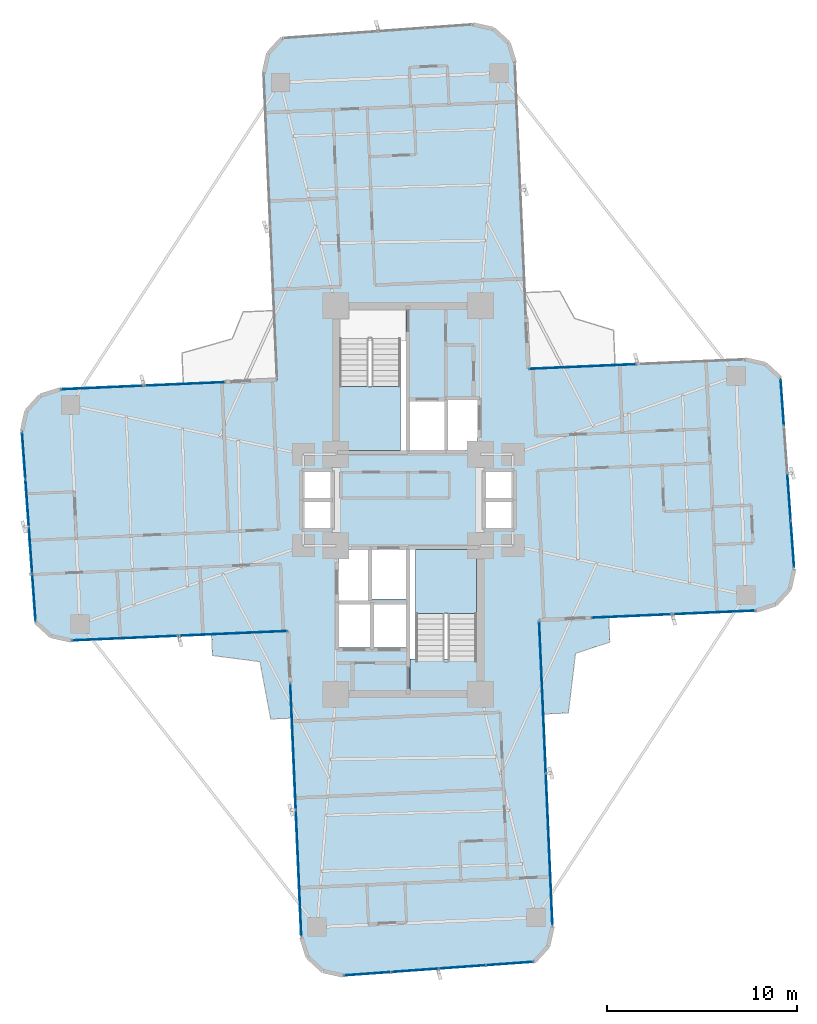
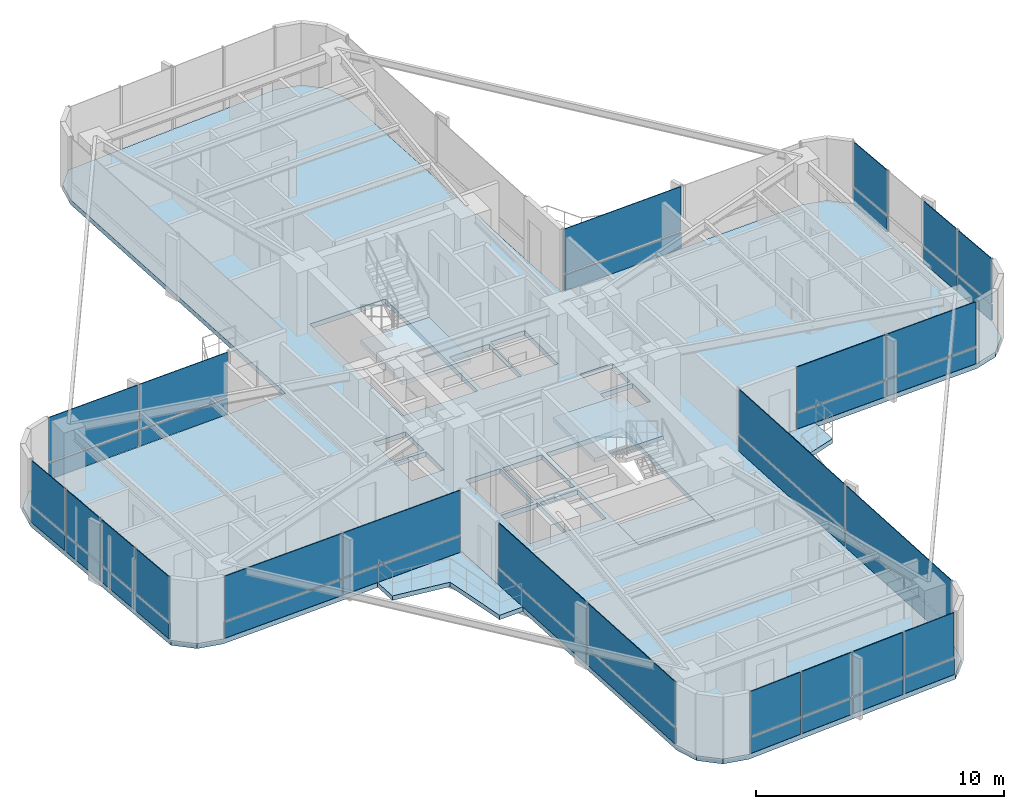
# One storey, part 21 of 26: 44 plates, 6 slabs, 11 elements without a shape of their own.
"""IFC4 building model written with IfcOpenShell, lengths in metres."""

from ifc_helpers import new_model, si_unit, direction, frame, origin, origin_2d, place, context, subcontext, project, spatial, polyline, rectangle, outline, extrude, source, transform, mapped, material, layer, layer_set, type_object, element, aggregate, save


model = new_model("IFC4")

# Units and contexts
model_context = context("Model", 3, precision=1e-05, world=origin(), true_north=direction((0.0, 1.0)))
body_context = subcontext(model_context, "Body", "Model", "MODEL_VIEW")
ifc_project = project(units=[si_unit("LENGTHUNIT", "METRE"), si_unit("AREAUNIT", "SQUARE_METRE"), si_unit("VOLUMEUNIT", "CUBIC_METRE"), si_unit("PLANEANGLEUNIT", "RADIAN"), si_unit("MASSUNIT", "GRAM", prefix="KILO")], contexts=[model_context])

# Site, building, storey
site_placement = place(None, origin())
site = spatial("IfcSite", under=ifc_project, at=site_placement, CompositionType="ELEMENT")
building_placement = place(site_placement, origin())
building = spatial("IfcBuilding", under=site, at=building_placement, Name="Sahyath Konkavel Grand Hotel", CompositionType="ELEMENT")
storey_placement = place(building_placement, frame((0.0, 0.0, 114.800048828125)))
storey = spatial("IfcBuildingStorey", under=building, at=storey_placement, Name="L31", CompositionType="ELEMENT", Elevation=114.800048828125)

# Slabs
ifc_material_1 = material(Name="Concrete C40/50", Category="concrete")
ifc_layer_1 = layer(ifc_material_1, 0.239990234375)
ifc_layer_set_1 = layer_set([ifc_layer_1], Name="Concrete C40/50")
slab_type_1 = type_object("IfcSlabType", Name="SLB-240", PredefinedType="FLOOR", material=ifc_layer_set_1)
slab_1_placement = place(storey_placement, frame((0.0, 0.0, -0.239990234375)))
element("IfcSlab", 1, at=slab_1_placement, inside=storey, type_object=slab_type_1, Name="L31 Structural Floor Slab", PredefinedType="FLOOR", context=body_context, shape_type="SweptSolid", body=[
    extrude(outline(polyline([(6.881591796875, -6.305908203125), (18.270751953125, -5.80859375), (19.3076171875, -5.481689453125), (20.0419921875, -4.68017578125), (20.277099609375, -3.618896484375), (19.5576171875, 6.4091796875), (18.75634765625, 7.1435546875), (17.695068359375, 7.37890625), (6.305908203125, 6.881591796875), (5.603515625, 22.96630859375), (5.276611328125, 24.0029296875), (4.47509765625, 24.7373046875), (3.4140625, 24.97265625), (-6.6142578125, 24.253173828125), (-7.3486328125, 23.451904296875), (-7.583984375, 22.390380859375), (-6.881591796875, 6.305908203125), (-18.270751953125, 5.80859375), (-19.3076171875, 5.481689453125), (-20.0419921875, 4.68017578125), (-20.277099609375, 3.618896484375), (-19.5576171875, -6.4091796875), (-18.75634765625, -7.1435546875), (-17.695068359375, -7.37890625), (-6.305908203125, -6.881591796875), (-5.603515625, -22.96630859375), (-5.276611328125, -24.0029296875), (-4.47509765625, -24.7373046875), (-3.4140625, -24.97265625), (6.6142578125, -24.253173828125), (7.3486328125, -23.451904296875), (7.583984375, -22.390380859375), (6.881591796875, -6.305908203125)]), holes=[polyline([(-3.6201171875, 2.580078125), (-0.10009765625, 2.580078125), (-0.10009765625, 10.02001953125), (-3.6201171875, 10.02001953125), (-3.6201171875, 2.580078125)]), polyline([(0.10009765625, -10.02001953125), (3.6201171875, -10.02001953125), (3.6201171875, -2.580078125), (0.10009765625, -2.580078125), (0.10009765625, -10.02001953125)]), polyline([(0.10009765625, 2.60009765625), (1.949951171875, 2.60009765625), (1.949951171875, 5.199951171875), (0.10009765625, 5.199951171875), (0.10009765625, 2.60009765625)]), polyline([(-1.949951171875, -5.199951171875), (-0.10009765625, -5.199951171875), (-0.10009765625, -2.60009765625), (-1.949951171875, -2.60009765625), (-1.949951171875, -5.199951171875)]), polyline([(2.050048828125, 2.60009765625), (3.64990234375, 2.60009765625), (3.64990234375, 5.300048828125), (2.050048828125, 5.300048828125), (2.050048828125, 2.60009765625)]), polyline([(-3.64990234375, -5.300048828125), (-2.050048828125, -5.300048828125), (-2.050048828125, -2.60009765625), (-3.64990234375, -2.60009765625), (-3.64990234375, -5.300048828125)]), polyline([(-3.64990234375, -7.75), (-1.949951171875, -7.75), (-1.949951171875, -5.449951171875), (-3.64990234375, -5.449951171875), (-3.64990234375, -7.75)]), polyline([(-1.85009765625, -7.75), (-0.10009765625, -7.75), (-0.10009765625, -5.449951171875), (-1.85009765625, -5.449951171875), (-1.85009765625, -7.75)]), polyline([(4.050048828125, 0.080078125), (5.550048828125, 0.080078125), (5.550048828125, 1.5400390625), (4.050048828125, 1.5400390625), (4.050048828125, 0.080078125)]), polyline([(4.050048828125, -1.5400390625), (5.550048828125, -1.5400390625), (5.550048828125, -0.080078125), (4.050048828125, -0.080078125), (4.050048828125, -1.5400390625)]), polyline([(-5.550048828125, 0.080078125), (-4.050048828125, 0.080078125), (-4.050048828125, 1.5400390625), (-5.550048828125, 1.5400390625), (-5.550048828125, 0.080078125)]), polyline([(-5.550048828125, -1.5400390625), (-4.050048828125, -1.5400390625), (-4.050048828125, -0.080078125), (-5.550048828125, -0.080078125), (-5.550048828125, -1.5400390625)])]), origin(), (0.0, 0.0, 1.0), 0.239990234375),
])
ifc_layer_2 = layer(ifc_material_1, 0.219970703125)
ifc_layer_set_2 = layer_set([ifc_layer_2], Name="Concrete C40/50")
slab_type_2 = type_object("IfcSlabType", Name="SLB-BALCONY-220", PredefinedType="FLOOR", material=ifc_layer_set_2)
slab_2_placement = place(storey_placement, frame((0.0, 0.0, -0.219970703125)))
element("IfcSlab", 2, at=slab_2_placement, inside=storey, type_object=slab_type_2, Name="L31 Winter-Garden Balcony SW", PredefinedType="FLOOR", context=body_context, shape_type="SweptSolid", body=[
    extrude(outline(polyline([(-6.305908203125, -6.881591796875), (-10.323974609375, -7.056884765625), (-10.275390625, -8.16845703125), (-7.781982421875, -8.492431640625), (-7.217529296875, -11.50390625), (-6.106201171875, -11.455078125), (-6.305908203125, -6.881591796875)])), origin(), (0.0, 0.0, 1.0), 0.219970703125),
])
slab_3_placement = place(storey_placement, frame((0.0, 0.0, -0.219970703125)))
element("IfcSlab", 3, at=slab_3_placement, inside=storey, type_object=slab_type_2, Name="L31 Winter-Garden Balcony SE", PredefinedType="FLOOR", context=body_context, shape_type="SweptSolid", body=[
    extrude(outline(polyline([(6.881591796875, -6.305908203125), (7.09716796875, -11.2431640625), (8.4150390625, -11.185546875), (8.791748046875, -8.05615234375), (10.59375, -7.464111328125), (10.5361328125, -6.146240234375), (6.881591796875, -6.305908203125)])), origin(), (0.0, 0.0, 1.0), 0.219970703125),
])

# Stair, slab
stair_type = type_object("IfcStairType", Name="STR-ST16-335", PredefinedType="HALF_TURN_STAIR", material=ifc_material_1)
stair_1_placement = place(storey_placement, origin())
stair_1 = element("IfcStair", 4, at=stair_1_placement, inside=storey, type_object=stair_type, Name="L31 North Core Smokeproof Exit Stair ST-1", PredefinedType="HALF_TURN_STAIR")
ifc_layer_3 = layer(ifc_material_1, 0.199951171875)
ifc_layer_set_3 = layer_set([ifc_layer_3], Name="Concrete C40/50")
slab_type_3 = type_object("IfcSlabType", Name="SLB-STAIR-LND", PredefinedType="LANDING", material=ifc_layer_set_3)
slab_4_placement = place(storey_placement, frame((0.0, 0.0, 1.474853515625)))
slab_4 = element("IfcSlab", 5, at=slab_4_placement, type_object=slab_type_3, Name="ST-1 landing 1", PredefinedType="LANDING", context=body_context, shape_type="SweptSolid", body=[
    extrude(outline(polyline([(-3.60009765625, 5.9599609375), (-3.60009765625, 2.60009765625), (-0.39990234375, 2.60009765625), (-0.39990234375, 5.9599609375), (-3.60009765625, 5.9599609375)])), origin(), (0.0, 0.0, 1.0), 0.2001953125),
])
aggregate(stair_1, [slab_4])

stair_2_placement = place(storey_placement, origin())
stair_2 = element("IfcStair", 6, at=stair_2_placement, inside=storey, type_object=stair_type, Name="L31 South Core Smokeproof Exit Stair ST-2", PredefinedType="HALF_TURN_STAIR")
slab_5_placement = place(storey_placement, frame((0.0, 0.0, 1.474853515625)))
slab_5 = element("IfcSlab", 7, at=slab_5_placement, type_object=slab_type_3, Name="ST-2 landing 1", PredefinedType="LANDING", context=body_context, shape_type="SweptSolid", body=[
    extrude(outline(polyline([(3.60009765625, -5.9599609375), (3.60009765625, -2.60009765625), (0.39990234375, -2.60009765625), (0.39990234375, -5.9599609375), (3.60009765625, -5.9599609375)])), origin(), (0.0, 0.0, 1.0), 0.2001953125),
])
aggregate(stair_2, [slab_5])

# Slab
slab_6_placement = place(storey_placement, frame((0.0, 0.0, -0.199951171875)))
element("IfcSlab", 8, at=slab_6_placement, inside=storey, type_object=slab_type_3, Name="L31 Stair ST-2 Floor Landing Slab", PredefinedType="LANDING", context=body_context, shape_type="SweptSolid", body=[
    extrude(outline(polyline([(0.10009765625, -10.02001953125), (3.6201171875, -10.02001953125), (3.6201171875, -8.35009765625), (0.10009765625, -8.35009765625), (0.10009765625, -10.02001953125)])), origin(), (0.0, 0.0, 1.0), 0.199951171875),
])

# Curtain wall, plates
ifc_material_2 = material(Name="Anodised Bronze Aluminium & Low-E Glazing", Category="aluminium")
curtain_wall_type = type_object("IfcCurtainWallType", Name="CW-ZONE2", PredefinedType="NOTDEFINED", material=ifc_material_2)
curtain_wall_1_placement = place(storey_placement, origin())
curtain_wall_1 = element("IfcCurtainWall", 9, at=curtain_wall_1_placement, inside=storey, type_object=curtain_wall_type, Name="L31 Unitised Curtain Wall F0", PredefinedType="NOTDEFINED")
ifc_material_3 = material(Name="Warm Buff Sandstone Cladding", Category="masonry")
ifc_layer_4 = layer(ifc_material_3, 0.074951171875)
ifc_layer_set_4 = layer_set([ifc_layer_4], Name="Warm Buff Sandstone Cladding")
plate_type_1 = type_object("IfcPlateType", Name="PNL-SPANDREL-STONE", PredefinedType="SHEET", material=ifc_layer_set_4)
shared_shape_1 = source(origin(), body_context, "Body", "SweptSolid", [
    extrude(rectangle(XDim=4.22998046875, YDim=0.074951171875, at=origin_2d()), origin(), (0.0, 0.0, 1.0), 0.77001953125),
])
plate_1_placement = place(storey_placement, frame((11.77197265625, -6.09228515625, 0.0400390625), z_axis=(0.0, 0.0, 1.0), x_axis=(0.999048982732, 0.043601950678, 0.0)))
plate_1 = element("IfcPlate", 10, at=plate_1_placement, type_object=plate_type_1, Name="L31 Sandstone Relief Spandrel Panel F0-0", PredefinedType="SHEET", context=body_context, shape_type="MappedRepresentation", body=[
    mapped(shared_shape_1, transform((0.0, 0.0, 0.0), scale=1.0)),
])
plate_2_placement = place(storey_placement, frame((16.077880859375, -5.904296875, 0.0400390625), z_axis=(0.0, 0.0, 1.0), x_axis=(0.999048982732, 0.043601950678, 0.0)))
plate_2 = element("IfcPlate", 11, at=plate_2_placement, type_object=plate_type_1, Name="L31 Sandstone Relief Spandrel Panel F0-1", PredefinedType="SHEET", context=body_context, shape_type="MappedRepresentation", body=[
    mapped(shared_shape_1, transform((0.0, 0.0, 0.0), scale=1.0)),
])

curtain_wall_2_placement = place(storey_placement, origin())
curtain_wall_2 = element("IfcCurtainWall", 12, at=curtain_wall_2_placement, inside=storey, type_object=curtain_wall_type, Name="L31 Unitised Curtain Wall F16", PredefinedType="NOTDEFINED")
plate_3_placement = place(storey_placement, frame((-11.77197265625, 6.09228515625, 0.0400390625), z_axis=(0.0, 0.0, 1.0), x_axis=(-0.999048982732, -0.043601950678, 0.0)))
plate_3 = element("IfcPlate", 13, at=plate_3_placement, type_object=plate_type_1, Name="L31 Sandstone Relief Spandrel Panel F16-0", PredefinedType="SHEET", context=body_context, shape_type="MappedRepresentation", body=[
    mapped(shared_shape_1, transform((0.0, 0.0, 0.0), scale=1.0)),
])
plate_4_placement = place(storey_placement, frame((-16.077880859375, 5.904296875, 0.0400390625), z_axis=(0.0, 0.0, 1.0), x_axis=(-0.999048982732, -0.043601950678, 0.0)))
plate_4 = element("IfcPlate", 14, at=plate_4_placement, type_object=plate_type_1, Name="L31 Sandstone Relief Spandrel Panel F16-1", PredefinedType="SHEET", context=body_context, shape_type="MappedRepresentation", body=[
    mapped(shared_shape_1, transform((0.0, 0.0, 0.0), scale=1.0)),
])

curtain_wall_3_placement = place(storey_placement, origin())
curtain_wall_3 = element("IfcCurtainWall", 15, at=curtain_wall_3_placement, inside=storey, type_object=curtain_wall_type, Name="L31 Unitised Curtain Wall F4", PredefinedType="NOTDEFINED")
shared_shape_2 = source(origin(), body_context, "Body", "SweptSolid", [
    extrude(rectangle(XDim=2.41357421875, YDim=0.074951171875, at=origin_2d()), origin(), (0.0, 0.0, 1.0), 0.77001953125),
])
plate_5_placement = place(storey_placement, frame((20.18505859375, -2.335693359375, 0.0400390625), z_axis=(0.0, 0.0, 1.0), x_axis=(-0.071567078661, 0.997435789037, 0.0)))
plate_5 = element("IfcPlate", 16, at=plate_5_placement, type_object=plate_type_1, Name="L31 Sandstone Relief Spandrel Panel F4-0", PredefinedType="SHEET", context=body_context, shape_type="MappedRepresentation", body=[
    mapped(shared_shape_2, transform((0.0, 0.0, 0.0), scale=1.0)),
])
plate_6_placement = place(storey_placement, frame((20.006591796875, 0.151611328125, 0.0400390625), z_axis=(0.0, 0.0, 1.0), x_axis=(-0.071567078661, 0.997435789037, 0.0)))
plate_6 = element("IfcPlate", 17, at=plate_6_placement, type_object=plate_type_1, Name="L31 Sandstone Relief Spandrel Panel F4-1", PredefinedType="SHEET", context=body_context, shape_type="MappedRepresentation", body=[
    mapped(shared_shape_2, transform((0.0, 0.0, 0.0), scale=1.0)),
])
plate_7_placement = place(storey_placement, frame((19.64990234375, 5.125732421875, 0.0400390625), z_axis=(0.0, 0.0, 1.0), x_axis=(-0.071567078661, 0.997435789037, 0.0)))
plate_7 = element("IfcPlate", 18, at=plate_7_placement, type_object=plate_type_1, Name="L31 Sandstone Relief Spandrel Panel F4-3", PredefinedType="SHEET", context=body_context, shape_type="MappedRepresentation", body=[
    mapped(shared_shape_2, transform((0.0, 0.0, 0.0), scale=1.0)),
])

curtain_wall_4_placement = place(storey_placement, origin())
curtain_wall_4 = element("IfcCurtainWall", 19, at=curtain_wall_4_placement, inside=storey, type_object=curtain_wall_type, Name="L31 Unitised Curtain Wall F20", PredefinedType="NOTDEFINED")
plate_8_placement = place(storey_placement, frame((-20.18505859375, 2.335693359375, 0.0400390625), z_axis=(0.0, 0.0, 1.0), x_axis=(0.071567078661, -0.997435789037, 0.0)))
plate_8 = element("IfcPlate", 20, at=plate_8_placement, type_object=plate_type_1, Name="L31 Sandstone Relief Spandrel Panel F20-0", PredefinedType="SHEET", context=body_context, shape_type="MappedRepresentation", body=[
    mapped(shared_shape_2, transform((0.0, 0.0, 0.0), scale=1.0)),
])
plate_9_placement = place(storey_placement, frame((-20.006591796875, -0.151611328125, 0.0400390625), z_axis=(0.0, 0.0, 1.0), x_axis=(0.071567078661, -0.997435789037, 0.0)))
plate_9 = element("IfcPlate", 21, at=plate_9_placement, type_object=plate_type_1, Name="L31 Sandstone Relief Spandrel Panel F20-1", PredefinedType="SHEET", context=body_context, shape_type="MappedRepresentation", body=[
    mapped(shared_shape_2, transform((0.0, 0.0, 0.0), scale=1.0)),
])
plate_10_placement = place(storey_placement, frame((-19.828369140625, -2.638671875, 0.0400390625), z_axis=(0.0, 0.0, 1.0), x_axis=(0.071567078661, -0.997435789037, 0.0)))
plate_10 = element("IfcPlate", 22, at=plate_10_placement, type_object=plate_type_1, Name="L31 Sandstone Relief Spandrel Panel F20-2", PredefinedType="SHEET", context=body_context, shape_type="MappedRepresentation", body=[
    mapped(shared_shape_2, transform((0.0, 0.0, 0.0), scale=1.0)),
])
plate_11_placement = place(storey_placement, frame((-19.64990234375, -5.125732421875, 0.0400390625), z_axis=(0.0, 0.0, 1.0), x_axis=(0.071567078661, -0.997435789037, 0.0)))
plate_11 = element("IfcPlate", 23, at=plate_11_placement, type_object=plate_type_1, Name="L31 Sandstone Relief Spandrel Panel F20-3", PredefinedType="SHEET", context=body_context, shape_type="MappedRepresentation", body=[
    mapped(shared_shape_2, transform((0.0, 0.0, 0.0), scale=1.0)),
])

curtain_wall_5_placement = place(storey_placement, origin())
curtain_wall_5 = element("IfcCurtainWall", 24, at=curtain_wall_5_placement, inside=storey, type_object=curtain_wall_type, Name="L31 Unitised Curtain Wall F28", PredefinedType="NOTDEFINED")
plate_12_placement = place(storey_placement, frame((-2.130615234375, -24.880615234375, 0.0400390625), z_axis=(0.0, 0.0, 1.0), x_axis=(0.997435789037, 0.071567078661, 0.0)))
plate_12 = element("IfcPlate", 25, at=plate_12_placement, type_object=plate_type_1, Name="L31 Sandstone Relief Spandrel Panel F28-0", PredefinedType="SHEET", context=body_context, shape_type="MappedRepresentation", body=[
    mapped(shared_shape_2, transform((0.0, 0.0, 0.0), scale=1.0)),
])
plate_13_placement = place(storey_placement, frame((0.356689453125, -24.7021484375, 0.0400390625), z_axis=(0.0, 0.0, 1.0), x_axis=(0.997435789037, 0.071567078661, 0.0)))
plate_13 = element("IfcPlate", 26, at=plate_13_placement, type_object=plate_type_1, Name="L31 Sandstone Relief Spandrel Panel F28-1", PredefinedType="SHEET", context=body_context, shape_type="MappedRepresentation", body=[
    mapped(shared_shape_2, transform((0.0, 0.0, 0.0), scale=1.0)),
])
plate_14_placement = place(storey_placement, frame((2.84375, -24.523681640625, 0.0400390625), z_axis=(0.0, 0.0, 1.0), x_axis=(0.997435789037, 0.071567078661, 0.0)))
plate_14 = element("IfcPlate", 27, at=plate_14_placement, type_object=plate_type_1, Name="L31 Sandstone Relief Spandrel Panel F28-2", PredefinedType="SHEET", context=body_context, shape_type="MappedRepresentation", body=[
    mapped(shared_shape_2, transform((0.0, 0.0, 0.0), scale=1.0)),
])
plate_15_placement = place(storey_placement, frame((5.330810546875, -24.34521484375, 0.0400390625), z_axis=(0.0, 0.0, 1.0), x_axis=(0.997435789037, 0.071567078661, 0.0)))
plate_15 = element("IfcPlate", 28, at=plate_15_placement, type_object=plate_type_1, Name="L31 Sandstone Relief Spandrel Panel F28-3", PredefinedType="SHEET", context=body_context, shape_type="MappedRepresentation", body=[
    mapped(shared_shape_2, transform((0.0, 0.0, 0.0), scale=1.0)),
])

# Curtain wall, plate
curtain_wall_6_placement = place(storey_placement, origin())
curtain_wall_6 = element("IfcCurtainWall", 29, at=curtain_wall_6_placement, inside=storey, type_object=curtain_wall_type, Name="L31 Unitised Curtain Wall F7", PredefinedType="NOTDEFINED")
shared_shape_3 = source(origin(), body_context, "Body", "SweptSolid", [
    extrude(rectangle(XDim=5.580078125, YDim=0.074951171875, at=origin_2d()), origin(), (0.0, 0.0, 1.0), 0.77001953125),
])
plate_16_placement = place(storey_placement, frame((9.173095703125, 7.0068359375, 0.0400390625), z_axis=(0.0, 0.0, 1.0), x_axis=(-0.999048221582, -0.043619387365, 0.0)))
plate_16 = element("IfcPlate", 30, at=plate_16_placement, type_object=plate_type_1, Name="L31 Sandstone Relief Spandrel Panel F7-1", PredefinedType="SHEET", context=body_context, shape_type="MappedRepresentation", body=[
    mapped(shared_shape_3, transform((0.0, 0.0, 0.0), scale=1.0)),
])

# Curtain wall, plates
curtain_wall_7_placement = place(storey_placement, origin())
curtain_wall_7 = element("IfcCurtainWall", 31, at=curtain_wall_7_placement, inside=storey, type_object=curtain_wall_type, Name="L31 Unitised Curtain Wall F23", PredefinedType="NOTDEFINED")
plate_17_placement = place(storey_placement, frame((-14.82763671875, -7.25390625, 0.0400390625), z_axis=(0.0, 0.0, 1.0), x_axis=(0.999048221582, 0.043619387365, 0.0)))
plate_17 = element("IfcPlate", 32, at=plate_17_placement, type_object=plate_type_1, Name="L31 Sandstone Relief Spandrel Panel F23-0", PredefinedType="SHEET", context=body_context, shape_type="MappedRepresentation", body=[
    mapped(shared_shape_3, transform((0.0, 0.0, 0.0), scale=1.0)),
])
plate_18_placement = place(storey_placement, frame((-9.173095703125, -7.0068359375, 0.0400390625), z_axis=(0.0, 0.0, 1.0), x_axis=(0.999048221582, 0.043619387365, 0.0)))
plate_18 = element("IfcPlate", 33, at=plate_18_placement, type_object=plate_type_1, Name="L31 Sandstone Relief Spandrel Panel F23-1", PredefinedType="SHEET", context=body_context, shape_type="MappedRepresentation", body=[
    mapped(shared_shape_3, transform((0.0, 0.0, 0.0), scale=1.0)),
])

curtain_wall_8_placement = place(storey_placement, origin())
curtain_wall_8 = element("IfcCurtainWall", 34, at=curtain_wall_8_placement, inside=storey, type_object=curtain_wall_type, Name="L31 Unitised Curtain Wall F24", PredefinedType="NOTDEFINED")
shared_shape_4 = source(origin(), body_context, "Body", "SweptSolid", [
    extrude(rectangle(XDim=6.580078125, YDim=0.074951171875, at=origin_2d()), origin(), (0.0, 0.0, 1.0), 0.77001953125),
])
plate_19_placement = place(storey_placement, frame((-6.041015625, -12.94580078125, 0.0400390625), z_axis=(0.0, 0.0, 1.0), x_axis=(0.043619387365, -0.999048221582, 0.0)))
plate_19 = element("IfcPlate", 35, at=plate_19_placement, type_object=plate_type_1, Name="L31 Sandstone Relief Spandrel Panel F24-0", PredefinedType="SHEET", context=body_context, shape_type="MappedRepresentation", body=[
    mapped(shared_shape_4, transform((0.0, 0.0, 0.0), scale=1.0)),
])
plate_20_placement = place(storey_placement, frame((-5.75048828125, -19.599609375, 0.0400390625), z_axis=(0.0, 0.0, 1.0), x_axis=(0.043619387365, -0.999048221582, 0.0)))
plate_20 = element("IfcPlate", 36, at=plate_20_placement, type_object=plate_type_1, Name="L31 Sandstone Relief Spandrel Panel F24-1", PredefinedType="SHEET", context=body_context, shape_type="MappedRepresentation", body=[
    mapped(shared_shape_4, transform((0.0, 0.0, 0.0), scale=1.0)),
])

curtain_wall_9_placement = place(storey_placement, origin())
curtain_wall_9 = element("IfcCurtainWall", 37, at=curtain_wall_9_placement, inside=storey, type_object=curtain_wall_type, Name="L31 Unitised Curtain Wall F31", PredefinedType="NOTDEFINED")
shared_shape_5 = source(origin(), body_context, "Body", "SweptSolid", [
    extrude(rectangle(XDim=7.929931640625, YDim=0.074951171875, at=origin_2d()), origin(), (0.0, 0.0, 1.0), 0.77001953125),
])
plate_21_placement = place(storey_placement, frame((7.407470703125, -18.349365234375, 0.0400390625), z_axis=(0.0, 0.0, 1.0), x_axis=(-0.043619387365, 0.999048221582, 0.0)))
plate_21 = element("IfcPlate", 38, at=plate_21_placement, type_object=plate_type_1, Name="L31 Sandstone Relief Spandrel Panel F31-0", PredefinedType="SHEET", context=body_context, shape_type="MappedRepresentation", body=[
    mapped(shared_shape_5, transform((0.0, 0.0, 0.0), scale=1.0)),
])
plate_22_placement = place(storey_placement, frame((7.05810546875, -10.346923828125, 0.0400390625), z_axis=(0.0, 0.0, 1.0), x_axis=(-0.043619387365, 0.999048221582, 0.0)))
plate_22 = element("IfcPlate", 39, at=plate_22_placement, type_object=plate_type_1, Name="L31 Sandstone Relief Spandrel Panel F31-1", PredefinedType="SHEET", context=body_context, shape_type="MappedRepresentation", body=[
    mapped(shared_shape_5, transform((0.0, 0.0, 0.0), scale=1.0)),
])

# Plate
ifc_material_4 = material(Name="Low-E Solar Control Double Glazing", Category="glass")
ifc_layer_5 = layer(ifc_material_4, 0.035888671875)
ifc_layer_set_5 = layer_set([ifc_layer_5], Name="Low-E Solar Control Double Glazing")
plate_type_2 = type_object("IfcPlateType", Name="PNL-VISION-LOWE", PredefinedType="CURTAIN_PANEL", material=ifc_layer_set_5)
shared_shape_6 = source(origin(), body_context, "Body", "SweptSolid", [
    extrude(rectangle(XDim=4.22998046875, YDim=0.035888671875, at=origin_2d()), origin(), (0.0, 0.0, 1.0), 2.179931640625),
])
plate_23_placement = place(storey_placement, frame((11.77197265625, -6.09228515625, 0.89013671875), z_axis=(0.0, 0.0, 1.0), x_axis=(0.999048982732, 0.043601950678, 0.0)))
plate_23 = element("IfcPlate", 40, at=plate_23_placement, type_object=plate_type_2, Name="L31 Low-E Vision Glazing Panel F0-0", PredefinedType="CURTAIN_PANEL", context=body_context, shape_type="MappedRepresentation", body=[
    mapped(shared_shape_6, transform((0.0, 0.0, 0.0), scale=1.0)),
])

plate_24_placement = place(storey_placement, frame((16.077880859375, -5.904296875, 0.89013671875), z_axis=(0.0, 0.0, 1.0), x_axis=(0.999048982732, 0.043601950678, 0.0)))
plate_24 = element("IfcPlate", 41, at=plate_24_placement, type_object=plate_type_2, Name="L31 Low-E Vision Glazing Panel F0-1", PredefinedType="CURTAIN_PANEL", context=body_context, shape_type="MappedRepresentation", body=[
    mapped(shared_shape_6, transform((0.0, 0.0, 0.0), scale=1.0)),
])

aggregate(curtain_wall_1, [plate_1, plate_23, plate_2, plate_24])

plate_25_placement = place(storey_placement, frame((-11.77197265625, 6.09228515625, 0.89013671875), z_axis=(0.0, 0.0, 1.0), x_axis=(-0.999048982732, -0.043601950678, 0.0)))
plate_25 = element("IfcPlate", 42, at=plate_25_placement, type_object=plate_type_2, Name="L31 Low-E Vision Glazing Panel F16-0", PredefinedType="CURTAIN_PANEL", context=body_context, shape_type="MappedRepresentation", body=[
    mapped(shared_shape_6, transform((0.0, 0.0, 0.0), scale=1.0)),
])

plate_26_placement = place(storey_placement, frame((-16.077880859375, 5.904296875, 0.89013671875), z_axis=(0.0, 0.0, 1.0), x_axis=(-0.999048982732, -0.043601950678, 0.0)))
plate_26 = element("IfcPlate", 43, at=plate_26_placement, type_object=plate_type_2, Name="L31 Low-E Vision Glazing Panel F16-1", PredefinedType="CURTAIN_PANEL", context=body_context, shape_type="MappedRepresentation", body=[
    mapped(shared_shape_6, transform((0.0, 0.0, 0.0), scale=1.0)),
])

aggregate(curtain_wall_2, [plate_3, plate_25, plate_4, plate_26])

shared_shape_7 = source(origin(), body_context, "Body", "SweptSolid", [
    extrude(rectangle(XDim=2.41357421875, YDim=0.035888671875, at=origin_2d()), origin(), (0.0, 0.0, 1.0), 2.179931640625),
])
plate_27_placement = place(storey_placement, frame((20.18505859375, -2.335693359375, 0.89013671875), z_axis=(0.0, 0.0, 1.0), x_axis=(-0.071567078661, 0.997435789037, 0.0)))
plate_27 = element("IfcPlate", 44, at=plate_27_placement, type_object=plate_type_2, Name="L31 Low-E Vision Glazing Panel F4-0", PredefinedType="CURTAIN_PANEL", context=body_context, shape_type="MappedRepresentation", body=[
    mapped(shared_shape_7, transform((0.0, 0.0, 0.0), scale=1.0)),
])

plate_28_placement = place(storey_placement, frame((20.006591796875, 0.151611328125, 0.89013671875), z_axis=(0.0, 0.0, 1.0), x_axis=(-0.071567078661, 0.997435789037, 0.0)))
plate_28 = element("IfcPlate", 45, at=plate_28_placement, type_object=plate_type_2, Name="L31 Low-E Vision Glazing Panel F4-1", PredefinedType="CURTAIN_PANEL", context=body_context, shape_type="MappedRepresentation", body=[
    mapped(shared_shape_7, transform((0.0, 0.0, 0.0), scale=1.0)),
])

plate_29_placement = place(storey_placement, frame((19.64990234375, 5.125732421875, 0.89013671875), z_axis=(0.0, 0.0, 1.0), x_axis=(-0.071567078661, 0.997435789037, 0.0)))
plate_29 = element("IfcPlate", 46, at=plate_29_placement, type_object=plate_type_2, Name="L31 Low-E Vision Glazing Panel F4-3", PredefinedType="CURTAIN_PANEL", context=body_context, shape_type="MappedRepresentation", body=[
    mapped(shared_shape_7, transform((0.0, 0.0, 0.0), scale=1.0)),
])

aggregate(curtain_wall_3, [plate_5, plate_27, plate_6, plate_28, plate_7, plate_29])

plate_30_placement = place(storey_placement, frame((-20.18505859375, 2.335693359375, 0.89013671875), z_axis=(0.0, 0.0, 1.0), x_axis=(0.071567078661, -0.997435789037, 0.0)))
plate_30 = element("IfcPlate", 47, at=plate_30_placement, type_object=plate_type_2, Name="L31 Low-E Vision Glazing Panel F20-0", PredefinedType="CURTAIN_PANEL", context=body_context, shape_type="MappedRepresentation", body=[
    mapped(shared_shape_7, transform((0.0, 0.0, 0.0), scale=1.0)),
])

plate_31_placement = place(storey_placement, frame((-20.006591796875, -0.151611328125, 0.89013671875), z_axis=(0.0, 0.0, 1.0), x_axis=(0.071567078661, -0.997435789037, 0.0)))
plate_31 = element("IfcPlate", 48, at=plate_31_placement, type_object=plate_type_2, Name="L31 Low-E Vision Glazing Panel F20-1", PredefinedType="CURTAIN_PANEL", context=body_context, shape_type="MappedRepresentation", body=[
    mapped(shared_shape_7, transform((0.0, 0.0, 0.0), scale=1.0)),
])

plate_32_placement = place(storey_placement, frame((-19.828369140625, -2.638671875, 0.89013671875), z_axis=(0.0, 0.0, 1.0), x_axis=(0.071567078661, -0.997435789037, 0.0)))
plate_32 = element("IfcPlate", 49, at=plate_32_placement, type_object=plate_type_2, Name="L31 Low-E Vision Glazing Panel F20-2", PredefinedType="CURTAIN_PANEL", context=body_context, shape_type="MappedRepresentation", body=[
    mapped(shared_shape_7, transform((0.0, 0.0, 0.0), scale=1.0)),
])

plate_33_placement = place(storey_placement, frame((-19.64990234375, -5.125732421875, 0.89013671875), z_axis=(0.0, 0.0, 1.0), x_axis=(0.071567078661, -0.997435789037, 0.0)))
plate_33 = element("IfcPlate", 50, at=plate_33_placement, type_object=plate_type_2, Name="L31 Low-E Vision Glazing Panel F20-3", PredefinedType="CURTAIN_PANEL", context=body_context, shape_type="MappedRepresentation", body=[
    mapped(shared_shape_7, transform((0.0, 0.0, 0.0), scale=1.0)),
])

aggregate(curtain_wall_4, [plate_8, plate_30, plate_9, plate_31, plate_10, plate_32, plate_11, plate_33])

plate_34_placement = place(storey_placement, frame((-2.130615234375, -24.880615234375, 0.89013671875), z_axis=(0.0, 0.0, 1.0), x_axis=(0.997435789037, 0.071567078661, 0.0)))
plate_34 = element("IfcPlate", 51, at=plate_34_placement, type_object=plate_type_2, Name="L31 Low-E Vision Glazing Panel F28-0", PredefinedType="CURTAIN_PANEL", context=body_context, shape_type="MappedRepresentation", body=[
    mapped(shared_shape_7, transform((0.0, 0.0, 0.0), scale=1.0)),
])

plate_35_placement = place(storey_placement, frame((0.356689453125, -24.7021484375, 0.89013671875), z_axis=(0.0, 0.0, 1.0), x_axis=(0.997435789037, 0.071567078661, 0.0)))
plate_35 = element("IfcPlate", 52, at=plate_35_placement, type_object=plate_type_2, Name="L31 Low-E Vision Glazing Panel F28-1", PredefinedType="CURTAIN_PANEL", context=body_context, shape_type="MappedRepresentation", body=[
    mapped(shared_shape_7, transform((0.0, 0.0, 0.0), scale=1.0)),
])

plate_36_placement = place(storey_placement, frame((2.84375, -24.523681640625, 0.89013671875), z_axis=(0.0, 0.0, 1.0), x_axis=(0.997435789037, 0.071567078661, 0.0)))
plate_36 = element("IfcPlate", 53, at=plate_36_placement, type_object=plate_type_2, Name="L31 Low-E Vision Glazing Panel F28-2", PredefinedType="CURTAIN_PANEL", context=body_context, shape_type="MappedRepresentation", body=[
    mapped(shared_shape_7, transform((0.0, 0.0, 0.0), scale=1.0)),
])

plate_37_placement = place(storey_placement, frame((5.330810546875, -24.34521484375, 0.89013671875), z_axis=(0.0, 0.0, 1.0), x_axis=(0.997435789037, 0.071567078661, 0.0)))
plate_37 = element("IfcPlate", 54, at=plate_37_placement, type_object=plate_type_2, Name="L31 Low-E Vision Glazing Panel F28-3", PredefinedType="CURTAIN_PANEL", context=body_context, shape_type="MappedRepresentation", body=[
    mapped(shared_shape_7, transform((0.0, 0.0, 0.0), scale=1.0)),
])

aggregate(curtain_wall_5, [plate_12, plate_34, plate_13, plate_35, plate_14, plate_36, plate_15, plate_37])

shared_shape_8 = source(origin(), body_context, "Body", "SweptSolid", [
    extrude(rectangle(XDim=5.580078125, YDim=0.035888671875, at=origin_2d()), origin(), (0.0, 0.0, 1.0), 2.179931640625),
])
plate_38_placement = place(storey_placement, frame((9.173095703125, 7.0068359375, 0.89013671875), z_axis=(0.0, 0.0, 1.0), x_axis=(-0.999048221582, -0.043619387365, 0.0)))
plate_38 = element("IfcPlate", 55, at=plate_38_placement, type_object=plate_type_2, Name="L31 Low-E Vision Glazing Panel F7-1", PredefinedType="CURTAIN_PANEL", context=body_context, shape_type="MappedRepresentation", body=[
    mapped(shared_shape_8, transform((0.0, 0.0, 0.0), scale=1.0)),
])

aggregate(curtain_wall_6, [plate_16, plate_38])

plate_39_placement = place(storey_placement, frame((-14.82763671875, -7.25390625, 0.89013671875), z_axis=(0.0, 0.0, 1.0), x_axis=(0.999048221582, 0.043619387365, 0.0)))
plate_39 = element("IfcPlate", 56, at=plate_39_placement, type_object=plate_type_2, Name="L31 Low-E Vision Glazing Panel F23-0", PredefinedType="CURTAIN_PANEL", context=body_context, shape_type="MappedRepresentation", body=[
    mapped(shared_shape_8, transform((0.0, 0.0, 0.0), scale=1.0)),
])

plate_40_placement = place(storey_placement, frame((-9.173095703125, -7.0068359375, 0.89013671875), z_axis=(0.0, 0.0, 1.0), x_axis=(0.999048221582, 0.043619387365, 0.0)))
plate_40 = element("IfcPlate", 57, at=plate_40_placement, type_object=plate_type_2, Name="L31 Low-E Vision Glazing Panel F23-1", PredefinedType="CURTAIN_PANEL", context=body_context, shape_type="MappedRepresentation", body=[
    mapped(shared_shape_8, transform((0.0, 0.0, 0.0), scale=1.0)),
])

aggregate(curtain_wall_7, [plate_17, plate_39, plate_18, plate_40])

shared_shape_9 = source(origin(), body_context, "Body", "SweptSolid", [
    extrude(rectangle(XDim=6.580078125, YDim=0.035888671875, at=origin_2d()), origin(), (0.0, 0.0, 1.0), 2.179931640625),
])
plate_41_placement = place(storey_placement, frame((-6.041015625, -12.94580078125, 0.89013671875), z_axis=(0.0, 0.0, 1.0), x_axis=(0.043619387365, -0.999048221582, 0.0)))
plate_41 = element("IfcPlate", 58, at=plate_41_placement, type_object=plate_type_2, Name="L31 Low-E Vision Glazing Panel F24-0", PredefinedType="CURTAIN_PANEL", context=body_context, shape_type="MappedRepresentation", body=[
    mapped(shared_shape_9, transform((0.0, 0.0, 0.0), scale=1.0)),
])

plate_42_placement = place(storey_placement, frame((-5.75048828125, -19.599609375, 0.89013671875), z_axis=(0.0, 0.0, 1.0), x_axis=(0.043619387365, -0.999048221582, 0.0)))
plate_42 = element("IfcPlate", 59, at=plate_42_placement, type_object=plate_type_2, Name="L31 Low-E Vision Glazing Panel F24-1", PredefinedType="CURTAIN_PANEL", context=body_context, shape_type="MappedRepresentation", body=[
    mapped(shared_shape_9, transform((0.0, 0.0, 0.0), scale=1.0)),
])

aggregate(curtain_wall_8, [plate_19, plate_41, plate_20, plate_42])

shared_shape_10 = source(origin(), body_context, "Body", "SweptSolid", [
    extrude(rectangle(XDim=7.929931640625, YDim=0.035888671875, at=origin_2d()), origin(), (0.0, 0.0, 1.0), 2.179931640625),
])
plate_43_placement = place(storey_placement, frame((7.407470703125, -18.349365234375, 0.89013671875), z_axis=(0.0, 0.0, 1.0), x_axis=(-0.043619387365, 0.999048221582, 0.0)))
plate_43 = element("IfcPlate", 60, at=plate_43_placement, type_object=plate_type_2, Name="L31 Low-E Vision Glazing Panel F31-0", PredefinedType="CURTAIN_PANEL", context=body_context, shape_type="MappedRepresentation", body=[
    mapped(shared_shape_10, transform((0.0, 0.0, 0.0), scale=1.0)),
])

plate_44_placement = place(storey_placement, frame((7.05810546875, -10.346923828125, 0.89013671875), z_axis=(0.0, 0.0, 1.0), x_axis=(-0.043619387365, 0.999048221582, 0.0)))
plate_44 = element("IfcPlate", 61, at=plate_44_placement, type_object=plate_type_2, Name="L31 Low-E Vision Glazing Panel F31-1", PredefinedType="CURTAIN_PANEL", context=body_context, shape_type="MappedRepresentation", body=[
    mapped(shared_shape_10, transform((0.0, 0.0, 0.0), scale=1.0)),
])

aggregate(curtain_wall_9, [plate_21, plate_43, plate_22, plate_44])

save(model, "model.ifc")
